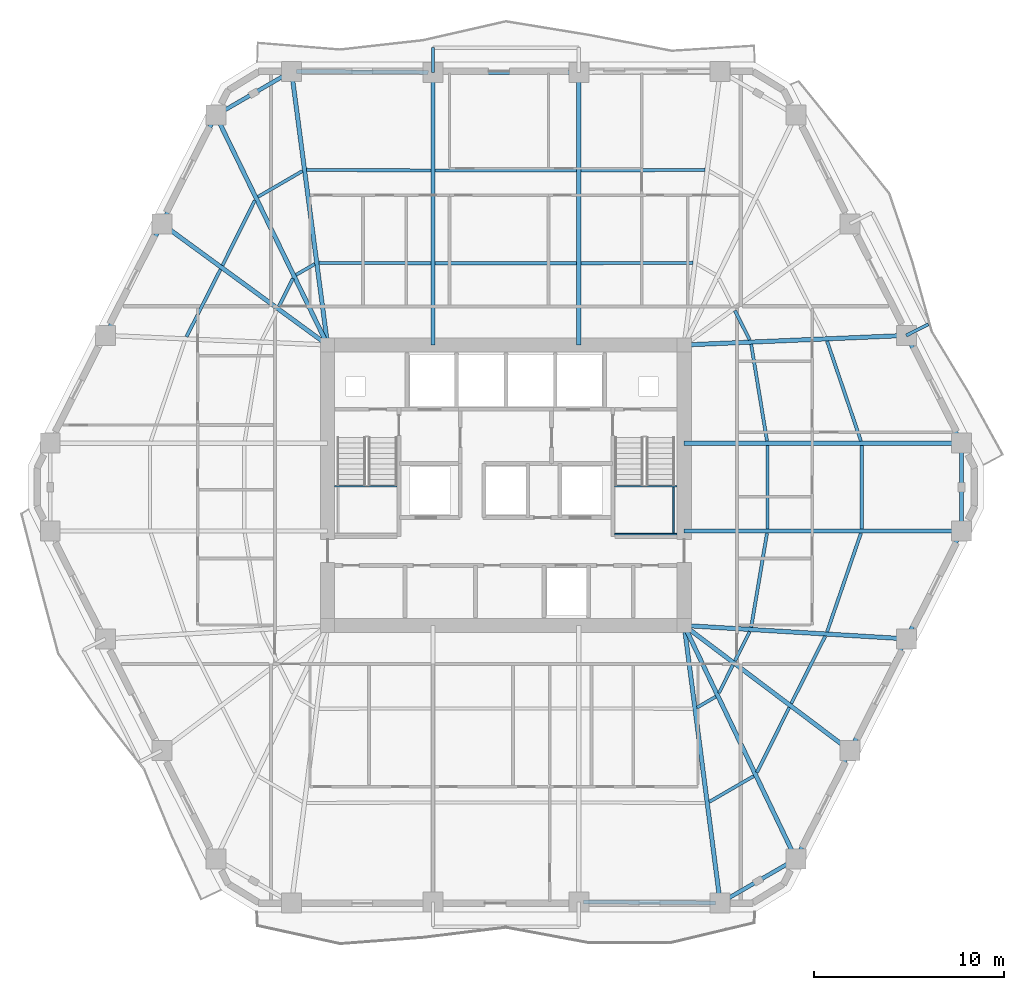
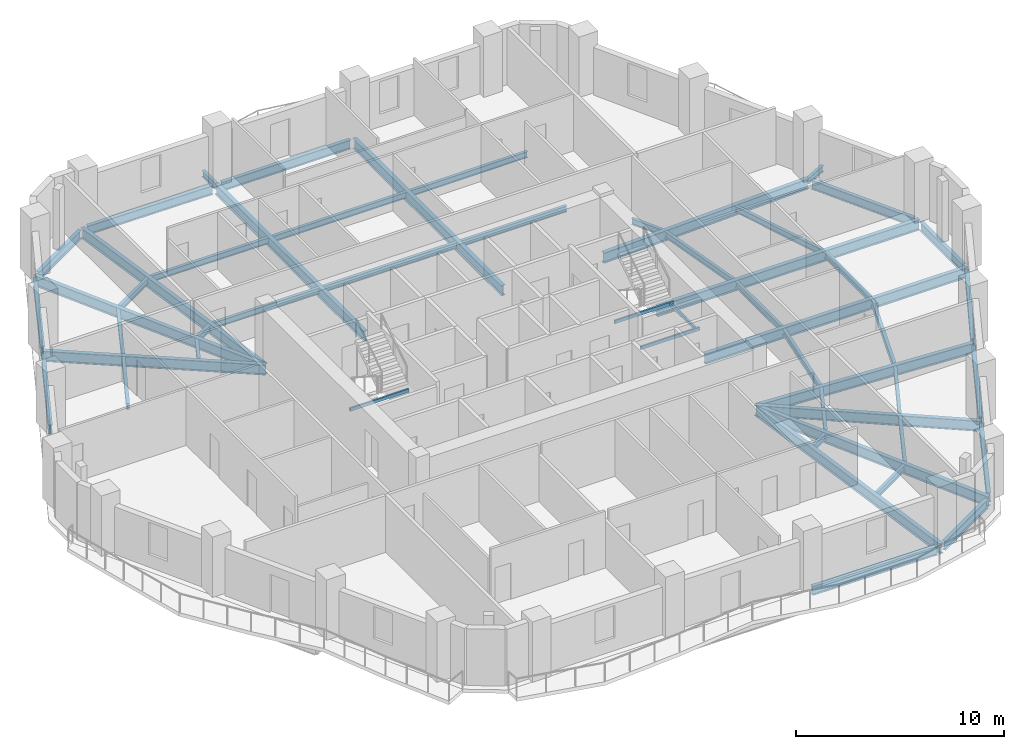
# One storey, part 2 of 11: 54 beams.
"""IFC4 building model written with IfcOpenShell, lengths in metres."""

import ifcopenshell
import ifcopenshell.guid

model = None  # the IFC model being written
_history = None  # IfcOwnerHistory: only IFC2X3 demands one
_inside = {}  # id of a spatial element -> (the spatial element, [elements in it])
_under = {}  # id of a project, library or spatial element -> (it, [spatial elements below it])
_declared = {}  # id of a project -> (the project, [libraries it declares])
_typed = {}  # id of a type object -> (the type object, [elements of that type])
_made_of = {}  # id of a material, layer set ... -> (it, [elements and type objects made of it])


def new_model(schema):
    """Start an empty IFC model of exactly this schema.

    Asked for "IFC4X3", IfcOpenShell would pick the latest addendum, in which some entities
    have other attributes; the version numbers below select the first issue.
    IFC2X3 requires an IfcOwnerHistory on every rooted entity: one is made here for all.
    """
    global model, _history
    if schema == "IFC4X3":
        model = ifcopenshell.file(schema_version=(4, 3, 0, 0))
    else:
        model = ifcopenshell.file(schema=schema)
    _inside.clear()
    _under.clear()
    _declared.clear()
    _typed.clear()
    _made_of.clear()
    _history = None
    if model.schema == "IFC2X3":
        org = make("IfcOrganization", Name="unknown")
        user = make(
            "IfcPersonAndOrganization",
            ThePerson=make("IfcPerson", FamilyName="unknown"),
            TheOrganization=org,
        )
        app = make(
            "IfcApplication",
            ApplicationDeveloper=org,
            Version="unknown",
            ApplicationFullName="unknown",
            ApplicationIdentifier="unknown",
        )
        _history = make(
            "IfcOwnerHistory",
            OwningUser=user,
            OwningApplication=app,
            ChangeAction="ADDED",
            CreationDate=0,
        )
    return model


def make(cls, **values):
    """One entity of the class cls with the attributes given. An attribute that is None is left unset."""
    return model.create_entity(
        cls, **{name: value for name, value in values.items() if value is not None}
    )


def rooted(cls, **values):
    """An entity with a GlobalId (a new one), such as an element, a storey or a relation."""
    return make(cls, GlobalId=ifcopenshell.guid.new(), OwnerHistory=_history, **values)


def si_unit(unit_type, name, prefix=None):
    """IfcSIUnit, for example si_unit("LENGTHUNIT", "METRE", prefix="MILLI")."""
    return make("IfcSIUnit", UnitType=unit_type, Prefix=prefix, Name=name)


def assignment(units):
    """IfcUnitAssignment: the units of a project."""
    return None if units is None else make("IfcUnitAssignment", Units=units)


def point(xyz):
    """IfcCartesianPoint."""
    return None if xyz is None else make("IfcCartesianPoint", Coordinates=xyz)


def direction(xyz):
    """IfcDirection."""
    return None if xyz is None else make("IfcDirection", DirectionRatios=xyz)


def frame(location, z_axis=None, x_axis=None):
    """IfcAxis2Placement3D, a coordinate frame: its origin and axes. An axis left out is left unset."""
    return make(
        "IfcAxis2Placement3D",
        Location=point(location),
        Axis=direction(z_axis),
        RefDirection=direction(x_axis),
    )


def frame_2d(location, x_axis=None):
    """IfcAxis2Placement2D, a coordinate frame in the plane: its origin and x axis."""
    return make(
        "IfcAxis2Placement2D", Location=point(location), RefDirection=direction(x_axis)
    )


def origin():
    """The frame at (0, 0, 0) with its axes left unset."""
    return frame((0.0, 0.0, 0.0))


def origin_2d():
    """The frame at (0, 0) in the plane with its x axis left unset."""
    return frame_2d((0.0, 0.0))


def place(relative_to, where):
    """IfcLocalPlacement: puts the frame where relative to a parent placement (None: the world)."""
    return make(
        "IfcLocalPlacement", PlacementRelTo=relative_to, RelativePlacement=where
    )


def context(
    kind, dimensions, precision=None, world=None, true_north=None, identifier=None
):
    """IfcGeometricRepresentationContext, for example the 3D "Model" context."""
    return make(
        "IfcGeometricRepresentationContext",
        ContextIdentifier=identifier,
        ContextType=kind,
        CoordinateSpaceDimension=dimensions,
        Precision=precision,
        WorldCoordinateSystem=world,
        TrueNorth=true_north,
    )


def subcontext(parent, identifier, kind, view, scale=None):
    """IfcGeometricRepresentationSubContext, for example "Body" below "Model"."""
    return make(
        "IfcGeometricRepresentationSubContext",
        ContextIdentifier=identifier,
        ContextType=kind,
        ParentContext=parent,
        TargetScale=scale,
        TargetView=view,
    )


def project(units=None, contexts=None):
    """IfcProject with its units and contexts."""
    return rooted(
        "IfcProject",
        Name="project",
        RepresentationContexts=contexts,
        UnitsInContext=assignment(units),
    )


def spatial(cls, under=None, at=None, **own):
    """A site, building, storey or space (cls), placed at a placement, below another one or the project."""
    s = rooted(cls, ObjectPlacement=at, **own)
    if under is not None:
        _under.setdefault(under.id(), (under, []))[1].append(s)
    return s


def profile(cls, at=None, kind="AREA", **sizes):
    """A parametric profile (cls). Its sizes go by their IFC names, for example OverallWidth=200.0."""
    return make(cls, ProfileType=kind, Position=at, **sizes)


def hollow_rectangle(**sizes):
    """IfcRectangleHollowProfileDef."""
    return profile("IfcRectangleHollowProfileDef", **sizes)


def i_section(**sizes):
    """IfcIShapeProfileDef."""
    return profile("IfcIShapeProfileDef", **sizes)


def extrude(swept, where, along, depth):
    """IfcExtrudedAreaSolid: the profile swept, set in the frame where, extruded along a direction by depth."""
    return make(
        "IfcExtrudedAreaSolid",
        SweptArea=swept,
        Position=where,
        ExtrudedDirection=direction(along),
        Depth=depth,
    )


def shape(context_of_items, identifier, shape_type, items):
    """IfcShapeRepresentation: the items that make up one representation, for example the "Body"."""
    return make(
        "IfcShapeRepresentation",
        ContextOfItems=context_of_items,
        RepresentationIdentifier=identifier,
        RepresentationType=shape_type,
        Items=items,
    )


def material(Name=None, Category=None):
    """IfcMaterial."""
    return make("IfcMaterial", Name=Name, Category=Category)


def material_profile(
    of_material, cross_section, Name=None, Category=None, Priority=None
):
    """IfcMaterialProfile: a cross section and its material."""
    return make(
        "IfcMaterialProfile",
        Name=Name,
        Material=of_material,
        Profile=cross_section,
        Priority=Priority,
        Category=Category,
    )


def profile_set(profiles, Name=None, composite=None):
    """IfcMaterialProfileSet."""
    return make(
        "IfcMaterialProfileSet",
        Name=Name,
        MaterialProfiles=profiles,
        CompositeProfile=composite,
    )


def made_of(thing, what):
    """Note that an element or type object is made of a material, layer set ...; save() writes the relation."""
    if what is not None:
        _made_of.setdefault(what.id(), (what, []))[1].append(thing)
    return thing


def type_object(cls, material=None, **own):
    """A type object (cls), such as IfcWallType, which elements share."""
    return made_of(rooted(cls, **own), material)


def element(
    cls,
    number,
    at=None,
    inside=None,
    cuts=None,
    type_object=None,
    material=None,
    context=None,
    identifier="Body",
    shape_type=None,
    held_by="IfcProductDefinitionShape",
    body=None,
    shapes=None,
    **own,
):
    """One element of the class cls, such as IfcWall. Its Tag is "e" and its number.

    at: its placement. inside: the storey or other place that contains it. cuts: it is an
    opening in that element (IfcRelVoidsElement). A single representation is given by context,
    identifier, shape_type and body (its items); several are given by shapes. held_by: the class
    of the entity that holds the representations. save() writes the other relations.
    """
    e = rooted(cls, Tag="e%d" % number, ObjectPlacement=at, **own)
    if body is not None:
        shapes = [shape(context, identifier, shape_type, body)]
    if shapes is not None:
        e.Representation = make(held_by, Representations=shapes)
    if inside is not None:
        _inside.setdefault(inside.id(), (inside, []))[1].append(e)
    if cuts is not None:
        rooted(
            "IfcRelVoidsElement", RelatingBuildingElement=cuts, RelatedOpeningElement=e
        )
    if type_object is not None:
        _typed.setdefault(type_object.id(), (type_object, []))[1].append(e)
    return made_of(e, material)


def aggregate(whole, parts):
    """IfcRelAggregates: a whole, such as a stair, and the parts it consists of."""
    return rooted("IfcRelAggregates", RelatingObject=whole, RelatedObjects=parts)


def save(model, path):
    """Write the relations noted so far, then the file.

    IfcRelAggregates (storeys below a building ...), IfcRelContainedInSpatialStructure (elements
    in a storey), IfcRelDefinesByType, IfcRelAssociatesMaterial and IfcRelDeclares: one each for
    every whole, place, type object, material and project.
    """
    for whole, parts in _under.values():
        aggregate(whole, parts)
    for where, things in _inside.values():
        rooted(
            "IfcRelContainedInSpatialStructure",
            RelatedElements=things,
            RelatingStructure=where,
        )
    for kind, things in _typed.values():
        rooted("IfcRelDefinesByType", RelatedObjects=things, RelatingType=kind)
    for what, things in _made_of.values():
        rooted("IfcRelAssociatesMaterial", RelatedObjects=things, RelatingMaterial=what)
    for by, libraries in _declared.values():
        rooted("IfcRelDeclares", RelatingContext=by, RelatedDefinitions=libraries)
    model.write(path)


model = new_model("IFC4")

# Units and contexts
model_context = context("Model", 3, precision=1e-05, world=origin(), true_north=direction((0.0, 1.0)))
body_context = subcontext(model_context, "Body", "Model", "MODEL_VIEW")
ifc_project = project(units=[si_unit("LENGTHUNIT", "METRE"), si_unit("AREAUNIT", "SQUARE_METRE"), si_unit("VOLUMEUNIT", "CUBIC_METRE"), si_unit("PLANEANGLEUNIT", "RADIAN"), si_unit("MASSUNIT", "GRAM", prefix="KILO")], contexts=[model_context])

# Site, building, storey
site_placement = place(None, origin())
site = spatial("IfcSite", under=ifc_project, at=site_placement, CompositionType="ELEMENT")
building_placement = place(site_placement, origin())
building = spatial("IfcBuilding", under=site, at=building_placement, Name="Cinnabar Lancet Tower", CompositionType="ELEMENT")
storey_placement = place(building_placement, frame((0.0, 0.0, 130.35009765625)))
storey = spatial("IfcBuildingStorey", under=building, at=storey_placement, Name="L34", CompositionType="ELEMENT", Elevation=130.35009765625)

# Beams
ifc_material_1 = material(Name="Structural steel S355", Category="steel")
ifc_material_profile_1 = material_profile(ifc_material_1, i_section(OverallWidth=0.17138671875, OverallDepth=0.35498046875, WebThickness=0.00732421875, FlangeThickness=0.011474609375, FilletRadius=0.01025390625, at=origin_2d()), Name="UKB 356x171x51")
ifc_profile_set_1 = profile_set([ifc_material_profile_1], Name="Structural steel S355")
beam_type_1 = type_object("IfcBeamType", Name="STR-BM-JST-356", PredefinedType="JOIST", material=ifc_profile_set_1)
beam_1_placement = place(storey_placement, frame((43.093994140625, 9.251953125, -0.38818359375), z_axis=(0.865172906898, 0.501473669469, 0.0), x_axis=(-0.501473669469, 0.865172906898, 0.0)))
element("IfcBeam", 1, at=beam_1_placement, inside=storey, type_object=beam_type_1, Name="L34 Secondary Floor Joist 15", PredefinedType="JOIST", context=body_context, shape_type="SweptSolid", body=[
    extrude(i_section(OverallWidth=0.17138671875, OverallDepth=0.35498046875, WebThickness=0.00732421875, FlangeThickness=0.011474609375, FilletRadius=0.01025390625, at=origin_2d()), origin(), (0.0, 0.0, 1.0), 2.705810546875),
])
beam_2_placement = place(storey_placement, frame((42.449951171875, 14.2109375, -0.38818359375), z_axis=(0.865055308165, 0.501676503154, 0.0), x_axis=(-0.501676503154, 0.865055308165, 0.0)))
element("IfcBeam", 2, at=beam_2_placement, inside=storey, type_object=beam_type_1, Name="L34 Secondary Floor Joist 16", PredefinedType="JOIST", context=body_context, shape_type="SweptSolid", body=[
    extrude(i_section(OverallWidth=0.17138671875, OverallDepth=0.35498046875, WebThickness=0.00732421875, FlangeThickness=0.011474609375, FilletRadius=0.01025390625, at=origin_2d()), origin(), (0.0, 0.0, 1.0), 1.14208984375),
])
beam_3_placement = place(storey_placement, frame((45.59912109375, 10.7958984375, -0.38818359375), z_axis=(0.445295120803, 0.895383859241, 0.0), x_axis=(-0.895383859241, 0.445295120803, 0.0)))
element("IfcBeam", 3, at=beam_3_placement, inside=storey, type_object=beam_type_1, Name="L34 Secondary Floor Joist 17", PredefinedType="JOIST", context=body_context, shape_type="SweptSolid", body=[
    extrude(i_section(OverallWidth=0.17138671875, OverallDepth=0.35498046875, WebThickness=0.00732421875, FlangeThickness=0.011474609375, FilletRadius=0.01025390625, at=origin_2d()), origin(), (0.0, 0.0, 1.0), 3.81982421875),
])
beam_4_placement = place(storey_placement, frame((43.60205078125, 14.970947265625, -0.38818359375), z_axis=(0.44543923568, 0.895312173109, 0.0), x_axis=(-0.895312173109, 0.44543923568, 0.0)))
element("IfcBeam", 4, at=beam_4_placement, inside=storey, type_object=beam_type_1, Name="L34 Secondary Floor Joist 18", PredefinedType="JOIST", context=body_context, shape_type="SweptSolid", body=[
    extrude(i_section(OverallWidth=0.17138671875, OverallDepth=0.35498046875, WebThickness=0.00732421875, FlangeThickness=0.011474609375, FilletRadius=0.01025390625, at=origin_2d()), origin(), (0.0, 0.0, 1.0), 1.65185546875),
])
beam_5_placement = place(storey_placement, frame((47.404052734375, 14.424072265625, -0.38818359375), z_axis=(0.450706028652, 0.892672434736, 0.0), x_axis=(-0.892672434736, 0.450706028652, 0.0)))
element("IfcBeam", 5, at=beam_5_placement, inside=storey, type_object=beam_type_1, Name="L34 Secondary Floor Joist 19", PredefinedType="JOIST", context=body_context, shape_type="SweptSolid", body=[
    extrude(i_section(OverallWidth=0.17138671875, OverallDepth=0.35498046875, WebThickness=0.00732421875, FlangeThickness=0.011474609375, FilletRadius=0.01025390625, at=origin_2d()), origin(), (0.0, 0.0, 1.0), 3.966796875),
])
beam_6_placement = place(storey_placement, frame((44.44091796875, 16.657958984375, -0.38818359375), z_axis=(0.450874341268, 0.892587434589, 0.0), x_axis=(-0.892587434589, 0.450874341268, 0.0)))
element("IfcBeam", 6, at=beam_6_placement, inside=storey, type_object=beam_type_1, Name="L34 Secondary Floor Joist 20", PredefinedType="JOIST", context=body_context, shape_type="SweptSolid", body=[
    extrude(i_section(OverallWidth=0.17138671875, OverallDepth=0.35498046875, WebThickness=0.00732421875, FlangeThickness=0.011474609375, FilletRadius=0.01025390625, at=origin_2d()), origin(), (0.0, 0.0, 1.0), 1.732177734375),
])
beam_7_placement = place(storey_placement, frame((49.287109375, 18.18798828125, -0.38818359375), z_axis=(0.324639458548, 0.945837841257, 0.0), x_axis=(-0.945837841257, 0.324639458548, 0.0)))
element("IfcBeam", 7, at=beam_7_placement, inside=storey, type_object=beam_type_1, Name="L34 Secondary Floor Joist 21", PredefinedType="JOIST", context=body_context, shape_type="SweptSolid", body=[
    extrude(i_section(OverallWidth=0.17138671875, OverallDepth=0.35498046875, WebThickness=0.00732421875, FlangeThickness=0.011474609375, FilletRadius=0.01025390625, at=origin_2d()), origin(), (0.0, 0.0, 1.0), 5.486083984375),
])
beam_8_placement = place(storey_placement, frame((45.297119140625, 18.427978515625, -0.38818359375), z_axis=(0.165937104691, 0.986136338082, 0.0), x_axis=(-0.986136338082, 0.165937104691, 0.0)))
element("IfcBeam", 8, at=beam_8_placement, inside=storey, type_object=beam_type_1, Name="L34 Secondary Floor Joist 22", PredefinedType="JOIST", context=body_context, shape_type="SweptSolid", body=[
    extrude(i_section(OverallWidth=0.17138671875, OverallDepth=0.35498046875, WebThickness=0.00732421875, FlangeThickness=0.011474609375, FilletRadius=0.01025390625, at=origin_2d()), origin(), (0.0, 0.0, 1.0), 5.0185546875),
])
for number, where, z_axis, x_axis, name in (
    (9, (51.10693359375, 23.60498046875, -0.38818359375), (0.0, 1.0, 0.0), (-1.0, 0.0, 0.0), "L34 Secondary Floor Joist 23"),
    (10, (46.14990234375, 23.60498046875, -0.38818359375), (0.0, 1.0, 0.0), (-1.0, 0.0, 0.0), "L34 Secondary Floor Joist 24"),
):
    element("IfcBeam", number, at=place(storey_placement, frame(where, z_axis=z_axis, x_axis=x_axis)), inside=storey, type_object=beam_type_1, Name=name, PredefinedType="JOIST", context=body_context, shape_type="SweptSolid", body=[
        extrude(i_section(OverallWidth=0.17138671875, OverallDepth=0.35498046875, WebThickness=0.00732421875, FlangeThickness=0.011474609375, FilletRadius=0.01025390625, at=origin_2d()), origin(), (0.0, 0.0, 1.0), 4.39013671875),
    ])
beam_9_placement = place(storey_placement, frame((51.069091796875, 28.222900390625, -0.38818359375), z_axis=(-0.321063338019, 0.947057724207, 0.0), x_axis=(-0.947057724207, -0.321063338019, 0.0)))
element("IfcBeam", 11, at=beam_9_placement, inside=storey, type_object=beam_type_1, Name="L34 Secondary Floor Joist 25", PredefinedType="JOIST", context=body_context, shape_type="SweptSolid", body=[
    extrude(i_section(OverallWidth=0.17138671875, OverallDepth=0.35498046875, WebThickness=0.00732421875, FlangeThickness=0.011474609375, FilletRadius=0.01025390625, at=origin_2d()), origin(), (0.0, 0.0, 1.0), 5.553955078125),
])
beam_10_placement = place(storey_placement, frame((46.131103515625, 28.222900390625, -0.38818359375), z_axis=(-0.161719098977, 0.986836832017, 0.0), x_axis=(-0.986836832017, -0.161719098977, 0.0)))
element("IfcBeam", 12, at=beam_10_placement, inside=storey, type_object=beam_type_1, Name="L34 Secondary Floor Joist 26", PredefinedType="JOIST", context=body_context, shape_type="SweptSolid", body=[
    extrude(i_section(OverallWidth=0.17138671875, OverallDepth=0.35498046875, WebThickness=0.00732421875, FlangeThickness=0.011474609375, FilletRadius=0.01025390625, at=origin_2d()), origin(), (0.0, 0.0, 1.0), 5.156982421875),
])
beam_11_placement = place(storey_placement, frame((45.221923828125, 33.537109375, -0.38818359375), z_axis=(-0.450931068976, 0.892558777354, 0.0), x_axis=(-0.892558777354, -0.450931068976, 0.0)))
element("IfcBeam", 13, at=beam_11_placement, inside=storey, type_object=beam_type_1, Name="L34 Secondary Floor Joist 28", PredefinedType="JOIST", context=body_context, shape_type="SweptSolid", body=[
    extrude(i_section(OverallWidth=0.17138671875, OverallDepth=0.35498046875, WebThickness=0.00732421875, FlangeThickness=0.011474609375, FilletRadius=0.01025390625, at=origin_2d()), origin(), (0.0, 0.0, 1.0), 1.73193359375),
])
beam_12_placement = place(storey_placement, frame((42.8720703125, 42.48095703125, -0.38818359375), z_axis=(-0.999987991898, -0.004900618269, 0.0), x_axis=(0.004900618269, -0.999987991898, 0.0)))
element("IfcBeam", 14, at=beam_12_placement, inside=storey, type_object=beam_type_1, Name="L34 Secondary Floor Joist 33", PredefinedType="JOIST", context=body_context, shape_type="SweptSolid", body=[
    extrude(i_section(OverallWidth=0.17138671875, OverallDepth=0.35498046875, WebThickness=0.00732421875, FlangeThickness=0.011474609375, FilletRadius=0.01025390625, at=origin_2d()), origin(), (0.0, 0.0, 1.0), 6.526123046875),
])
beam_13_placement = place(storey_placement, frame((42.22802734375, 37.591064453125, -0.38818359375), z_axis=(-0.999996247906, -0.002739374605, 0.0), x_axis=(0.002739374605, -0.999996247906, 0.0)))
element("IfcBeam", 15, at=beam_13_placement, inside=storey, type_object=beam_type_1, Name="L34 Secondary Floor Joist 34", PredefinedType="JOIST", context=body_context, shape_type="SweptSolid", body=[
    extrude(i_section(OverallWidth=0.17138671875, OverallDepth=0.35498046875, WebThickness=0.00732421875, FlangeThickness=0.011474609375, FilletRadius=0.01025390625, at=origin_2d()), origin(), (0.0, 0.0, 1.0), 5.882080078125),
])
for number, where, z_axis, x_axis, name in (
    (16, (36.117919921875, 42.447998046875, -0.38818359375), (-1.0, 0.0, 0.0), (0.0, -1.0, 0.0), "L34 Secondary Floor Joist 35"),
    (17, (36.117919921875, 37.574951171875, -0.38818359375), (-1.0, 0.0, 0.0), (0.0, -1.0, 0.0), "L34 Secondary Floor Joist 36"),
):
    element("IfcBeam", number, at=place(storey_placement, frame(where, z_axis=z_axis, x_axis=x_axis)), inside=storey, type_object=beam_type_1, Name=name, PredefinedType="JOIST", context=body_context, shape_type="SweptSolid", body=[
        extrude(i_section(OverallWidth=0.17138671875, OverallDepth=0.35498046875, WebThickness=0.00732421875, FlangeThickness=0.011474609375, FilletRadius=0.01025390625, at=origin_2d()), origin(), (0.0, 0.0, 1.0), 7.43603515625),
    ])
beam_14_placement = place(storey_placement, frame((28.4541015625, 42.448974609375, -0.38818359375), z_axis=(-0.999987991898, 0.004900618269, 0.0), x_axis=(-0.004900618269, -0.999987991898, 0.0)))
element("IfcBeam", 18, at=beam_14_placement, inside=storey, type_object=beam_type_1, Name="L34 Secondary Floor Joist 37", PredefinedType="JOIST", context=body_context, shape_type="SweptSolid", body=[
    extrude(i_section(OverallWidth=0.17138671875, OverallDepth=0.35498046875, WebThickness=0.00732421875, FlangeThickness=0.011474609375, FilletRadius=0.01025390625, at=origin_2d()), origin(), (0.0, 0.0, 1.0), 6.526123046875),
])
beam_15_placement = place(storey_placement, frame((28.4541015625, 37.574951171875, -0.38818359375), z_axis=(-0.999996247906, 0.002739374605, 0.0), x_axis=(-0.002739374605, -0.999996247906, 0.0)))
element("IfcBeam", 19, at=beam_15_placement, inside=storey, type_object=beam_type_1, Name="L34 Secondary Floor Joist 38", PredefinedType="JOIST", context=body_context, shape_type="SweptSolid", body=[
    extrude(i_section(OverallWidth=0.17138671875, OverallDepth=0.35498046875, WebThickness=0.00732421875, FlangeThickness=0.011474609375, FilletRadius=0.01025390625, at=origin_2d()), origin(), (0.0, 0.0, 1.0), 5.882080078125),
])
beam_16_placement = place(storey_placement, frame((21.7060546875, 42.419921875, -0.38818359375), z_axis=(-0.865172906898, -0.501473669469, 0.0), x_axis=(0.501473669469, -0.865172906898, 0.0)))
element("IfcBeam", 20, at=beam_16_placement, inside=storey, type_object=beam_type_1, Name="L34 Secondary Floor Joist 39", PredefinedType="JOIST", context=body_context, shape_type="SweptSolid", body=[
    extrude(i_section(OverallWidth=0.17138671875, OverallDepth=0.35498046875, WebThickness=0.00732421875, FlangeThickness=0.011474609375, FilletRadius=0.01025390625, at=origin_2d()), origin(), (0.0, 0.0, 1.0), 2.705810546875),
])
beam_17_placement = place(storey_placement, frame((22.35009765625, 37.529052734375, -0.38818359375), z_axis=(-0.865055308165, -0.501676503154, 0.0), x_axis=(0.501676503154, -0.865055308165, 0.0)))
element("IfcBeam", 21, at=beam_17_placement, inside=storey, type_object=beam_type_1, Name="L34 Secondary Floor Joist 40", PredefinedType="JOIST", context=body_context, shape_type="SweptSolid", body=[
    extrude(i_section(OverallWidth=0.17138671875, OverallDepth=0.35498046875, WebThickness=0.00732421875, FlangeThickness=0.011474609375, FilletRadius=0.01025390625, at=origin_2d()), origin(), (0.0, 0.0, 1.0), 1.14208984375),
])
beam_18_placement = place(storey_placement, frame((19.200927734375, 40.876953125, -0.38818359375), z_axis=(-0.445116798807, -0.895472520751, 0.0), x_axis=(0.895472520751, -0.445116798807, 0.0)))
element("IfcBeam", 22, at=beam_18_placement, inside=storey, type_object=beam_type_1, Name="L34 Secondary Floor Joist 41", PredefinedType="JOIST", context=body_context, shape_type="SweptSolid", body=[
    extrude(i_section(OverallWidth=0.17138671875, OverallDepth=0.35498046875, WebThickness=0.00732421875, FlangeThickness=0.011474609375, FilletRadius=0.01025390625, at=origin_2d()), origin(), (0.0, 0.0, 1.0), 3.8212890625),
])
beam_19_placement = place(storey_placement, frame((21.198974609375, 36.77001953125, -0.38818359375), z_axis=(-0.445795466264, -0.895134851438, 0.0), x_axis=(0.895134851438, -0.445795466264, 0.0)))
element("IfcBeam", 23, at=beam_19_placement, inside=storey, type_object=beam_type_1, Name="L34 Secondary Floor Joist 42", PredefinedType="JOIST", context=body_context, shape_type="SweptSolid", body=[
    extrude(i_section(OverallWidth=0.17138671875, OverallDepth=0.35498046875, WebThickness=0.00732421875, FlangeThickness=0.011474609375, FilletRadius=0.01025390625, at=origin_2d()), origin(), (0.0, 0.0, 1.0), 1.6533203125),
])
beam_20_placement = place(storey_placement, frame((17.39599609375, 37.2490234375, -0.38818359375), z_axis=(-0.450656035687, -0.892697674187, 0.0), x_axis=(0.892697674187, -0.450656035687, 0.0)))
element("IfcBeam", 24, at=beam_20_placement, inside=storey, type_object=beam_type_1, Name="L34 Secondary Floor Joist 43", PredefinedType="JOIST", context=body_context, shape_type="SweptSolid", body=[
    extrude(i_section(OverallWidth=0.17138671875, OverallDepth=0.35498046875, WebThickness=0.00732421875, FlangeThickness=0.011474609375, FilletRadius=0.01025390625, at=origin_2d()), origin(), (0.0, 0.0, 1.0), 3.9677734375),
])
ifc_material_2 = material(Name="Structural steel S355", Category="steel")
ifc_material_profile_2 = material_profile(ifc_material_2, hollow_rectangle(XDim=0.10009765625, YDim=0.199951171875, WallThickness=0.008056640625, InnerFilletRadius=0.00390625, OuterFilletRadius=0.011962890625, at=origin_2d()), Name="RHS 200x100x8")
ifc_profile_set_2 = profile_set([ifc_material_profile_2], Name="Structural steel S355")
beam_type_2 = type_object("IfcBeamType", Name="STR-BM-LND-203", PredefinedType="BEAM", material=ifc_profile_set_2)
beam_21_placement = place(storey_placement, frame((23.39990234375, 25.844970703125, 1.474853515625), z_axis=(1.0, 0.0, 0.0), x_axis=(0.0, 1.0, 0.0)))
element("IfcBeam", 25, at=beam_21_placement, inside=storey, type_object=beam_type_2, Name="L34 ST-1-L34 Landing Support Beam N", PredefinedType="BEAM", context=body_context, shape_type="SweptSolid", body=[
    extrude(hollow_rectangle(XDim=0.10009765625, YDim=0.199951171875, WallThickness=0.008056640625, InnerFilletRadius=0.00390625, OuterFilletRadius=0.011962890625, at=origin_2d()), origin(), (0.0, 0.0, 1.0), 3.280029296875),
])
for number, where, z_axis, x_axis, name in (
    (26, (38.1201171875, 23.330078125, 1.474853515625), (1.0, 0.0, 0.0), (0.0, 1.0, 0.0), "L34 ST-2-L34 Landing Support Beam S"),
    (27, (38.1201171875, 25.844970703125, 1.474853515625), (1.0, 0.0, 0.0), (0.0, 1.0, 0.0), "L34 ST-2-L34 Landing Support Beam N"),
):
    element("IfcBeam", number, at=place(storey_placement, frame(where, z_axis=z_axis, x_axis=x_axis)), inside=storey, type_object=beam_type_2, Name=name, PredefinedType="BEAM", context=body_context, shape_type="SweptSolid", body=[
        extrude(hollow_rectangle(XDim=0.10009765625, YDim=0.199951171875, WallThickness=0.008056640625, InnerFilletRadius=0.00390625, OuterFilletRadius=0.011962890625, at=origin_2d()), origin(), (0.0, 0.0, 1.0), 3.27978515625),
    ])
beam_22_placement = place(storey_placement, frame((41.219970703125, 23.3798828125, 1.474853515625), z_axis=(0.0, 1.0, 0.0), x_axis=(-1.0, 0.0, 0.0)))
element("IfcBeam", 28, at=beam_22_placement, inside=storey, type_object=beam_type_2, Name="L34 ST-2-L34 Landing Side Trimmer Beam", PredefinedType="BEAM", context=body_context, shape_type="SweptSolid", body=[
    extrude(hollow_rectangle(XDim=0.10009765625, YDim=0.199951171875, WallThickness=0.008056640625, InnerFilletRadius=0.00390625, OuterFilletRadius=0.011962890625, at=origin_2d()), origin(), (0.0, 0.0, 1.0), 2.4150390625),
])
ifc_material_3 = material(Name="Structural steel S355", Category="steel")
ifc_material_profile_3 = material_profile(ifc_material_3, i_section(OverallWidth=0.209228515625, OverallDepth=0.533203125, WebThickness=0.010009765625, FlangeThickness=0.015625, FilletRadius=0.0126953125, at=origin_2d()), Name="UKB 533x210x92")
ifc_profile_set_3 = profile_set([ifc_material_profile_3], Name="Structural steel S355")
beam_type_3 = type_object("IfcBeamType", Name="STR-BM-SPN-533", PredefinedType="SPANDREL", material=ifc_profile_set_3)
beam_23_placement = place(storey_placement, frame((36.48193359375, 3.989990234375, -0.47705078125), z_axis=(0.999974980359, -0.007073800628, 0.0), x_axis=(0.007073800628, 0.999974980359, 0.0)))
element("IfcBeam", 29, at=beam_23_placement, inside=storey, type_object=beam_type_3, Name="L34 Perimeter Spandrel 3", PredefinedType="SPANDREL", context=body_context, shape_type="SweptSolid", body=[
    extrude(i_section(OverallWidth=0.209228515625, OverallDepth=0.533203125, WebThickness=0.010009765625, FlangeThickness=0.015625, FilletRadius=0.0126953125, at=origin_2d()), origin(), (0.0, 0.0, 1.0), 6.937255859375),
])
beam_24_placement = place(storey_placement, frame((43.885009765625, 4.06396484375, -0.47705078125), z_axis=(0.865112299906, 0.501578217781, 0.0), x_axis=(-0.501578217781, 0.865112299906, 0.0)))
element("IfcBeam", 30, at=beam_24_placement, inside=storey, type_object=beam_type_3, Name="L34 Perimeter Spandrel 4", PredefinedType="SPANDREL", context=body_context, shape_type="SweptSolid", body=[
    extrude(i_section(OverallWidth=0.209228515625, OverallDepth=0.533203125, WebThickness=0.010009765625, FlangeThickness=0.015625, FilletRadius=0.0126953125, at=origin_2d()), origin(), (0.0, 0.0, 1.0), 4.101318359375),
])
beam_25_placement = place(storey_placement, frame((47.760009765625, 6.469970703125, -0.47705078125), z_axis=(0.445501068635, 0.89528140707, 0.0), x_axis=(-0.89528140707, 0.445501068635, 0.0)))
element("IfcBeam", 31, at=beam_25_placement, inside=storey, type_object=beam_type_3, Name="L34 Perimeter Spandrel 5", PredefinedType="SPANDREL", context=body_context, shape_type="SweptSolid", body=[
    extrude(i_section(OverallWidth=0.209228515625, OverallDepth=0.533203125, WebThickness=0.010009765625, FlangeThickness=0.015625, FilletRadius=0.0126953125, at=origin_2d()), origin(), (0.0, 0.0, 1.0), 5.87646484375),
])
beam_26_placement = place(storey_placement, frame((50.60205078125, 12.177978515625, -0.47705078125), z_axis=(0.450570325924, 0.892740937449, 0.0), x_axis=(-0.892740937449, 0.450570325924, 0.0)))
element("IfcBeam", 32, at=beam_26_placement, inside=storey, type_object=beam_type_3, Name="L34 Perimeter Spandrel 6", PredefinedType="SPANDREL", context=body_context, shape_type="SweptSolid", body=[
    extrude(i_section(OverallWidth=0.209228515625, OverallDepth=0.533203125, WebThickness=0.010009765625, FlangeThickness=0.015625, FilletRadius=0.0126953125, at=origin_2d()), origin(), (0.0, 0.0, 1.0), 6.07470703125),
])
beam_27_placement = place(storey_placement, frame((53.56591796875, 18.0458984375, -0.47705078125), z_axis=(0.456109733574, 0.889923542187, 0.0), x_axis=(-0.889923542187, 0.456109733574, 0.0)))
element("IfcBeam", 33, at=beam_27_placement, inside=storey, type_object=beam_type_3, Name="L34 Perimeter Spandrel 7", PredefinedType="SPANDREL", context=body_context, shape_type="SweptSolid", body=[
    extrude(i_section(OverallWidth=0.209228515625, OverallDepth=0.533203125, WebThickness=0.010009765625, FlangeThickness=0.015625, FilletRadius=0.0126953125, at=origin_2d()), origin(), (0.0, 0.0, 1.0), 5.869140625),
])
beam_28_placement = place(storey_placement, frame((56.35693359375, 23.740966796875, -0.47705078125), z_axis=(0.0, 1.0, 0.0), x_axis=(-1.0, 0.0, 0.0)))
element("IfcBeam", 34, at=beam_28_placement, inside=storey, type_object=beam_type_3, Name="L34 Perimeter Spandrel 8", PredefinedType="SPANDREL", context=body_context, shape_type="SweptSolid", body=[
    extrude(i_section(OverallWidth=0.209228515625, OverallDepth=0.533203125, WebThickness=0.010009765625, FlangeThickness=0.015625, FilletRadius=0.0126953125, at=origin_2d()), origin(), (0.0, 0.0, 1.0), 4.117919921875),
])
beam_29_placement = place(storey_placement, frame((56.242919921875, 28.3310546875, -0.47705078125), z_axis=(-0.456126618405, 0.889914888055, 0.0), x_axis=(-0.889914888055, -0.456126618405, 0.0)))
element("IfcBeam", 35, at=beam_29_placement, inside=storey, type_object=beam_type_3, Name="L34 Perimeter Spandrel 9", PredefinedType="SPANDREL", context=body_context, shape_type="SweptSolid", body=[
    extrude(i_section(OverallWidth=0.209228515625, OverallDepth=0.533203125, WebThickness=0.010009765625, FlangeThickness=0.015625, FilletRadius=0.0126953125, at=origin_2d()), origin(), (0.0, 0.0, 1.0), 5.868896484375),
])
beam_30_placement = place(storey_placement, frame((35.98193359375, 47.60791015625, -0.47705078125), z_axis=(-1.0, 0.0, 0.0), x_axis=(0.0, -1.0, 0.0)))
element("IfcBeam", 36, at=beam_30_placement, inside=storey, type_object=beam_type_3, Name="L34 Perimeter Spandrel 14", PredefinedType="SPANDREL", context=body_context, shape_type="SweptSolid", body=[
    extrude(i_section(OverallWidth=0.209228515625, OverallDepth=0.533203125, WebThickness=0.010009765625, FlangeThickness=0.015625, FilletRadius=0.0126953125, at=origin_2d()), origin(), (0.0, 0.0, 1.0), 7.163818359375),
])
beam_31_placement = place(storey_placement, frame((28.318115234375, 47.610107421875, -0.47705078125), z_axis=(-0.999975228682, 0.007038609338, 0.0), x_axis=(-0.007038609338, -0.999975228682, 0.0)))
element("IfcBeam", 37, at=beam_31_placement, inside=storey, type_object=beam_type_3, Name="L34 Perimeter Spandrel 15", PredefinedType="SPANDREL", context=body_context, shape_type="SweptSolid", body=[
    extrude(i_section(OverallWidth=0.209228515625, OverallDepth=0.533203125, WebThickness=0.010009765625, FlangeThickness=0.015625, FilletRadius=0.0126953125, at=origin_2d()), origin(), (0.0, 0.0, 1.0), 6.937255859375),
])
beam_32_placement = place(storey_placement, frame((20.9150390625, 47.535888671875, -0.47705078125), z_axis=(-0.865138129765, -0.5015336643, 0.0), x_axis=(0.5015336643, -0.865138129765, 0.0)))
element("IfcBeam", 38, at=beam_32_placement, inside=storey, type_object=beam_type_3, Name="L34 Perimeter Spandrel 16", PredefinedType="SPANDREL", context=body_context, shape_type="SweptSolid", body=[
    extrude(i_section(OverallWidth=0.209228515625, OverallDepth=0.533203125, WebThickness=0.010009765625, FlangeThickness=0.015625, FilletRadius=0.0126953125, at=origin_2d()), origin(), (0.0, 0.0, 1.0), 4.10107421875),
])
beam_33_placement = place(storey_placement, frame((17.0400390625, 45.1298828125, -0.47705078125), z_axis=(-0.445501068635, -0.89528140707, 0.0), x_axis=(0.89528140707, -0.445501068635, 0.0)))
element("IfcBeam", 39, at=beam_33_placement, inside=storey, type_object=beam_type_3, Name="L34 Perimeter Spandrel 17", PredefinedType="SPANDREL", context=body_context, shape_type="SweptSolid", body=[
    extrude(i_section(OverallWidth=0.209228515625, OverallDepth=0.533203125, WebThickness=0.010009765625, FlangeThickness=0.015625, FilletRadius=0.0126953125, at=origin_2d()), origin(), (0.0, 0.0, 1.0), 5.87646484375),
])
beam_34_placement = place(storey_placement, frame((14.197998046875, 39.422119140625, -0.47705078125), z_axis=(-0.450570325924, -0.892740937449, 0.0), x_axis=(0.892740937449, -0.450570325924, 0.0)))
element("IfcBeam", 40, at=beam_34_placement, inside=storey, type_object=beam_type_3, Name="L34 Perimeter Spandrel 18", PredefinedType="SPANDREL", context=body_context, shape_type="SweptSolid", body=[
    extrude(i_section(OverallWidth=0.209228515625, OverallDepth=0.533203125, WebThickness=0.010009765625, FlangeThickness=0.015625, FilletRadius=0.0126953125, at=origin_2d()), origin(), (0.0, 0.0, 1.0), 6.07470703125),
])
ifc_material_4 = material(Name="Structural steel S355", Category="steel")
ifc_material_profile_4 = material_profile(ifc_material_4, i_section(OverallWidth=0.228271484375, OverallDepth=0.607666015625, WebThickness=0.010986328125, FlangeThickness=0.017333984375, FilletRadius=0.0126953125, at=origin_2d()), Name="UKB 610x229x113")
ifc_profile_set_4 = profile_set([ifc_material_profile_4], Name="Structural steel S355")
beam_type_4 = type_object("IfcBeamType", Name="STR-BM-UKB610-113", PredefinedType="BEAM", material=ifc_profile_set_4)
beam_35_placement = place(storey_placement, frame((50.489013671875, 11.955078125, -0.51416015625), z_axis=(-0.798491457835, 0.602006139308, 0.0), x_axis=(-0.602006139308, -0.798491457835, 0.0)))
element("IfcBeam", 41, at=beam_35_placement, inside=storey, type_object=beam_type_4, Name="L34 Corner Collector Girder 2", PredefinedType="BEAM", context=body_context, shape_type="SweptSolid", body=[
    extrude(i_section(OverallWidth=0.228271484375, OverallDepth=0.607666015625, WebThickness=0.010986328125, FlangeThickness=0.017333984375, FilletRadius=0.0126953125, at=origin_2d()), origin(), (0.0, 0.0, 1.0), 10.913330078125),
])
beam_36_placement = place(storey_placement, frame((14.31103515625, 39.64501953125, -0.51416015625), z_axis=(0.807289993592, -0.590154951048, 0.0), x_axis=(0.590154951048, 0.807289993592, 0.0)))
element("IfcBeam", 42, at=beam_36_placement, inside=storey, type_object=beam_type_4, Name="L34 Corner Collector Girder 4", PredefinedType="BEAM", context=body_context, shape_type="SweptSolid", body=[
    extrude(i_section(OverallWidth=0.228271484375, OverallDepth=0.607666015625, WebThickness=0.010986328125, FlangeThickness=0.017333984375, FilletRadius=0.0126953125, at=origin_2d()), origin(), (0.0, 0.0, 1.0), 10.7939453125),
])
beam_37_placement = place(storey_placement, frame((43.6689453125, 3.93896484375, -0.51416015625), z_axis=(-0.12877289353, 0.99167411073, 0.0), x_axis=(-0.99167411073, -0.12877289353, 0.0)))
element("IfcBeam", 43, at=beam_37_placement, inside=storey, type_object=beam_type_4, Name="L34 Primary Floor Girder 4", PredefinedType="BEAM", context=body_context, shape_type="SweptSolid", body=[
    extrude(i_section(OverallWidth=0.228271484375, OverallDepth=0.607666015625, WebThickness=0.010986328125, FlangeThickness=0.017333984375, FilletRadius=0.0126953125, at=origin_2d()), origin(), (0.0, 0.0, 1.0), 14.70849609375),
])
beam_38_placement = place(storey_placement, frame((47.64892578125, 6.24609375, -0.51416015625), z_axis=(-0.431548156881, 0.902089900339, 0.0), x_axis=(-0.902089900339, -0.431548156881, 0.0)))
element("IfcBeam", 44, at=beam_38_placement, inside=storey, type_object=beam_type_4, Name="L34 Primary Floor Girder 5", PredefinedType="BEAM", context=body_context, shape_type="SweptSolid", body=[
    extrude(i_section(OverallWidth=0.228271484375, OverallDepth=0.607666015625, WebThickness=0.010986328125, FlangeThickness=0.017333984375, FilletRadius=0.0126953125, at=origin_2d()), origin(), (0.0, 0.0, 1.0), 13.611572265625),
])
beam_39_placement = place(storey_placement, frame((53.451904296875, 17.823974609375, -0.51416015625), z_axis=(-0.998203272991, 0.059918492897, 0.0), x_axis=(-0.059918492897, -0.998203272991, 0.0)))
element("IfcBeam", 45, at=beam_39_placement, inside=storey, type_object=beam_type_4, Name="L34 Primary Floor Girder 7", PredefinedType="BEAM", context=body_context, shape_type="SweptSolid", body=[
    extrude(i_section(OverallWidth=0.228271484375, OverallDepth=0.607666015625, WebThickness=0.010986328125, FlangeThickness=0.017333984375, FilletRadius=0.0126953125, at=origin_2d()), origin(), (0.0, 0.0, 1.0), 11.697998046875),
])
for number, where, z_axis, x_axis, name in (
    (46, (56.35693359375, 23.490966796875, -0.51416015625), (-1.0, 0.0, 0.0), (0.0, -1.0, 0.0), "L34 Primary Floor Girder 8"),
    (47, (56.35693359375, 28.10888671875, -0.51416015625), (-1.0, 0.0, 0.0), (0.0, -1.0, 0.0), "L34 Primary Floor Girder 9"),
):
    element("IfcBeam", number, at=place(storey_placement, frame(where, z_axis=z_axis, x_axis=x_axis)), inside=storey, type_object=beam_type_4, Name=name, PredefinedType="BEAM", context=body_context, shape_type="SweptSolid", body=[
        extrude(i_section(OverallWidth=0.228271484375, OverallDepth=0.607666015625, WebThickness=0.010986328125, FlangeThickness=0.017333984375, FilletRadius=0.0126953125, at=origin_2d()), origin(), (0.0, 0.0, 1.0), 14.58203125),
    ])
beam_40_placement = place(storey_placement, frame((53.451904296875, 33.77587890625, -0.51416015625), z_axis=(-0.999080941658, -0.042863411158, 0.0), x_axis=(0.042863411158, -0.999080941658, 0.0)))
element("IfcBeam", 48, at=beam_40_placement, inside=storey, type_object=beam_type_4, Name="L34 Primary Floor Girder 10", PredefinedType="BEAM", context=body_context, shape_type="SweptSolid", body=[
    extrude(i_section(OverallWidth=0.228271484375, OverallDepth=0.607666015625, WebThickness=0.010986328125, FlangeThickness=0.017333984375, FilletRadius=0.0126953125, at=origin_2d()), origin(), (0.0, 0.0, 1.0), 11.687744140625),
])
for number, where, z_axis, x_axis, name in (
    (49, (36.23193359375, 47.60791015625, -0.51416015625), (0.0, -1.0, 0.0), (1.0, 0.0, 0.0), "L34 Primary Floor Girder 14"),
    (50, (28.568115234375, 47.60791015625, -0.51416015625), (0.0, -1.0, 0.0), (1.0, 0.0, 0.0), "L34 Primary Floor Girder 15"),
):
    element("IfcBeam", number, at=place(storey_placement, frame(where, z_axis=z_axis, x_axis=x_axis)), inside=storey, type_object=beam_type_4, Name=name, PredefinedType="BEAM", context=body_context, shape_type="SweptSolid", body=[
        extrude(i_section(OverallWidth=0.228271484375, OverallDepth=0.607666015625, WebThickness=0.010986328125, FlangeThickness=0.017333984375, FilletRadius=0.0126953125, at=origin_2d()), origin(), (0.0, 0.0, 1.0), 14.3330078125),
    ])
beam_41_placement = place(storey_placement, frame((21.131103515625, 47.660888671875, -0.51416015625), z_axis=(0.130515881524, -0.991446218748, 0.0), x_axis=(0.991446218748, 0.130515881524, 0.0)))
element("IfcBeam", 51, at=beam_41_placement, inside=storey, type_object=beam_type_4, Name="L34 Primary Floor Girder 16", PredefinedType="BEAM", context=body_context, shape_type="SweptSolid", body=[
    extrude(i_section(OverallWidth=0.228271484375, OverallDepth=0.607666015625, WebThickness=0.010986328125, FlangeThickness=0.017333984375, FilletRadius=0.0126953125, at=origin_2d()), origin(), (0.0, 0.0, 1.0), 14.510009765625),
])
beam_42_placement = place(storey_placement, frame((17.15087890625, 45.35400390625, -0.51416015625), z_axis=(0.437327473227, -0.899302330232, 0.0), x_axis=(0.899302330232, 0.437327473227, 0.0)))
element("IfcBeam", 52, at=beam_42_placement, inside=storey, type_object=beam_type_4, Name="L34 Primary Floor Girder 17", PredefinedType="BEAM", context=body_context, shape_type="SweptSolid", body=[
    extrude(i_section(OverallWidth=0.228271484375, OverallDepth=0.607666015625, WebThickness=0.010986328125, FlangeThickness=0.017333984375, FilletRadius=0.0126953125, at=origin_2d()), origin(), (0.0, 0.0, 1.0), 13.431640625),
])
ifc_material_5 = material(Name="Structural steel S355", Category="steel")
ifc_material_profile_5 = material_profile(ifc_material_5, i_section(OverallWidth=0.17138671875, OverallDepth=0.35498046875, WebThickness=0.00732421875, FlangeThickness=0.011474609375, FilletRadius=0.01025390625, at=origin_2d()), Name="UKB 356x171x51")
ifc_profile_set_5 = profile_set([ifc_material_profile_5], Name="Structural steel S355")
beam_type_5 = type_object("IfcBeamType", Name="STR-BM-WAV-OUT", PredefinedType="BEAM", material=ifc_profile_set_5)
beam_43_placement = place(storey_placement, frame((53.451904296875, 33.77587890625, -0.398193359375), z_axis=(0.892238560088, 0.451564338597, 0.0), x_axis=(-0.451564338597, 0.892238560088, 0.0)))
element("IfcBeam", 53, at=beam_43_placement, inside=storey, type_object=beam_type_5, Name="L34 Face 3 Balcony Outlooker A", PredefinedType="BEAM", context=body_context, shape_type="SweptSolid", body=[
    extrude(i_section(OverallWidth=0.17138671875, OverallDepth=0.35498046875, WebThickness=0.00732421875, FlangeThickness=0.011474609375, FilletRadius=0.01025390625, at=origin_2d()), origin(), (0.0, 0.0, 1.0), 1.30029296875),
])
beam_44_placement = place(storey_placement, frame((28.568115234375, 47.60791015625, -0.398193359375), z_axis=(0.0, 1.0, 0.0), x_axis=(-1.0, 0.0, 0.0)))
element("IfcBeam", 54, at=beam_44_placement, inside=storey, type_object=beam_type_5, Name="L34 Face 4 Balcony Outlooker B", PredefinedType="BEAM", context=body_context, shape_type="SweptSolid", body=[
    extrude(i_section(OverallWidth=0.17138671875, OverallDepth=0.35498046875, WebThickness=0.00732421875, FlangeThickness=0.011474609375, FilletRadius=0.01025390625, at=origin_2d()), origin(), (0.0, 0.0, 1.0), 1.300048828125),
])

save(model, "model.ifc")
